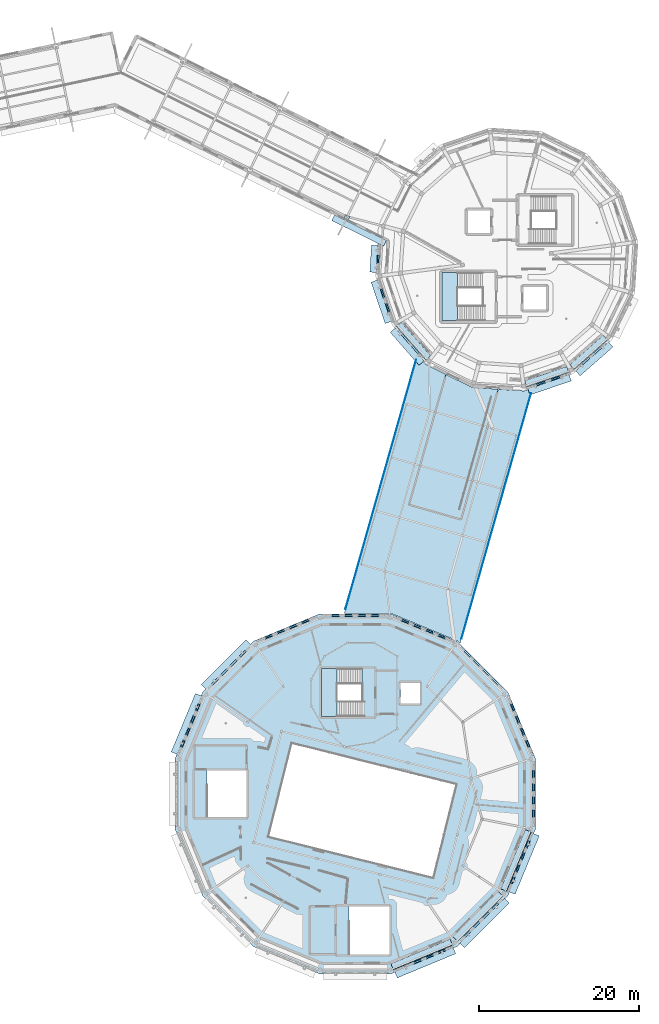
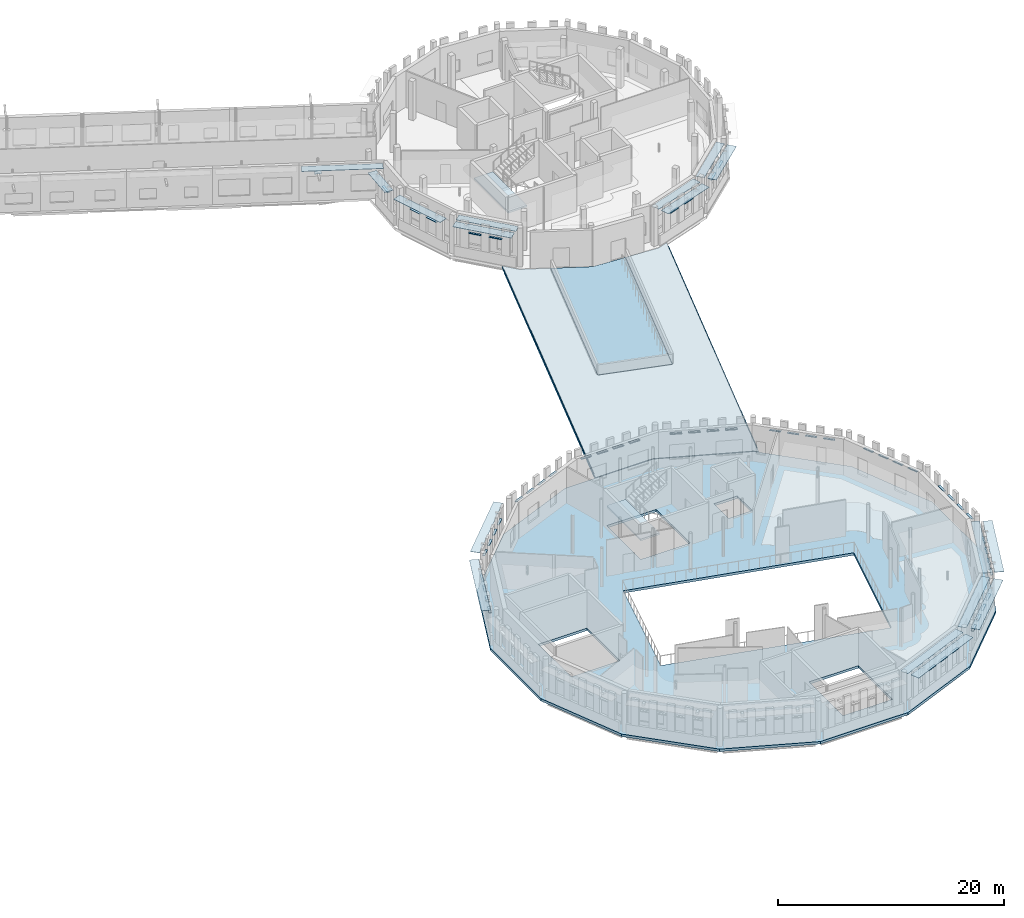
# One storey, part 27 of 68: 72 plates, 5 slabs, 2 elements without a shape of their own.
"""IFC4 building model written with IfcOpenShell, lengths in metres."""

from ifc_helpers import new_model, si_unit, direction, frame, origin, origin_2d, place, context, subcontext, project, spatial, polyline, rectangle, outline, extrude, material, layer, layer_set, type_object, element, aggregate, save


model = new_model("IFC4")

# Units and contexts
model_context = context("Model", 3, precision=1e-05, world=origin(), true_north=direction((0.0, 1.0)))
body_context = subcontext(model_context, "Body", "Model", "MODEL_VIEW")
ifc_project = project(units=[si_unit("LENGTHUNIT", "METRE"), si_unit("AREAUNIT", "SQUARE_METRE"), si_unit("VOLUMEUNIT", "CUBIC_METRE"), si_unit("PLANEANGLEUNIT", "RADIAN"), si_unit("MASSUNIT", "GRAM", prefix="KILO")], contexts=[model_context])

# Site, building, storey
site_placement = place(None, origin())
site = spatial("IfcSite", under=ifc_project, at=site_placement, CompositionType="ELEMENT")
building_placement = place(site_placement, origin())
building = spatial("IfcBuilding", under=site, at=building_placement, Name="Wrenclough Park School", CompositionType="ELEMENT")
storey_placement = place(building_placement, frame((0.0, 0.0, 12.60009765625)))
storey = spatial("IfcBuildingStorey", under=building, at=storey_placement, Name="L03", CompositionType="ELEMENT", Elevation=12.60009765625)

# Plates
ifc_material_1 = material(Name="Anodised architectural aluminium solar shading fin plate", Category="aluminium")
ifc_layer_1 = layer(ifc_material_1, 0.0380859375)
ifc_layer_set_1 = layer_set([ifc_layer_1], Name="Anodised architectural aluminium solar shading fin plate")
plate_type_1 = type_object("IfcPlateType", Name="ENV-PL-BSF", PredefinedType="SHEET", material=ifc_layer_set_1)
for number, where, z_axis, x_axis, name in (
    (1, (177.119384765625, 32.78271484375, 2.721923828125), (0.0, 0.0, 1.0), (-0.382684471717, 0.923879101997, 0.0), "D1 L03 open-bond brick screen tie band 0457"),
    (2, (176.489501953125, 34.303466796875, 2.721923828125), (0.0, 0.0, 1.0), (-0.382684471717, 0.923879101997, 0.0), "D1 L03 open-bond brick screen tie band 0458"),
    (3, (175.859619140625, 35.82421875, 2.721923828125), (0.0, 0.0, 1.0), (-0.382684471717, 0.923879101997, 0.0), "D1 L03 open-bond brick screen tie band 0459"),
    (4, (175.229736328125, 37.344970703125, 2.721923828125), (0.0, 0.0, 1.0), (-0.382684471717, 0.923879101997, 0.0), "D1 L03 open-bond brick screen tie band 0460"),
):
    element("IfcPlate", number, at=place(storey_placement, frame(where, z_axis=z_axis, x_axis=x_axis)), inside=storey, type_object=plate_type_1, Name=name, PredefinedType="SHEET", context=body_context, shape_type="SweptSolid", body=[
        extrude(rectangle(XDim=1.0048828125, YDim=0.219970703125, at=origin_2d()), origin(), (0.0, 0.0, 1.0), 0.0419921875),
    ])
plate_1_placement = place(storey_placement, frame((173.069580078125, 40.577880859375, 2.721923828125), z_axis=(0.0, 0.0, 1.0), x_axis=(-0.707106781187, 0.707106781187, 0.0)))
element("IfcPlate", 5, at=plate_1_placement, inside=storey, type_object=plate_type_1, Name="D1 L03 open-bond brick screen tie band 0461", PredefinedType="SHEET", context=body_context, shape_type="SweptSolid", body=[
    extrude(rectangle(XDim=1.004638671875, YDim=0.219970703125, at=origin_2d()), origin(), (0.0, 0.0, 1.0), 0.0419921875),
])
for number, where, z_axis, x_axis, name in (
    (6, (171.90576171875, 41.741455078125, 2.721923828125), (0.0, 0.0, 1.0), (-0.707106781187, 0.707106781187, 0.0), "D1 L03 open-bond brick screen tie band 0462"),
    (7, (170.741943359375, 42.9052734375, 2.721923828125), (0.0, 0.0, 1.0), (-0.707106781187, 0.707106781187, 0.0), "D1 L03 open-bond brick screen tie band 0463"),
):
    element("IfcPlate", number, at=place(storey_placement, frame(where, z_axis=z_axis, x_axis=x_axis)), inside=storey, type_object=plate_type_1, Name=name, PredefinedType="SHEET", context=body_context, shape_type="SweptSolid", body=[
        extrude(rectangle(XDim=1.0048828125, YDim=0.219970703125, at=origin_2d()), origin(), (0.0, 0.0, 1.0), 0.0419921875),
    ])
plate_2_placement = place(storey_placement, frame((169.578125, 44.069091796875, 2.721923828125), z_axis=(0.0, 0.0, 1.0), x_axis=(-0.707106781187, 0.707106781187, 0.0)))
element("IfcPlate", 8, at=plate_2_placement, inside=storey, type_object=plate_type_1, Name="D1 L03 open-bond brick screen tie band 0464", PredefinedType="SHEET", context=body_context, shape_type="SweptSolid", body=[
    extrude(rectangle(XDim=1.004638671875, YDim=0.219970703125, at=origin_2d()), origin(), (0.0, 0.0, 1.0), 0.0419921875),
])
for number, where, z_axis, x_axis, name in (
    (9, (166.34521484375, 46.2294921875, 2.721923828125), (0.0, 0.0, 1.0), (-0.923875848465, 0.382692326318, 0.0), "D1 L03 open-bond brick screen tie band 0465"),
    (10, (164.82421875, 46.859619140625, 2.721923828125), (0.0, 0.0, 1.0), (-0.923875848465, 0.382692326318, 0.0), "D1 L03 open-bond brick screen tie band 0466"),
    (11, (163.3037109375, 47.489501953125, 2.721923828125), (0.0, 0.0, 1.0), (-0.923875848465, 0.382692326318, 0.0), "D1 L03 open-bond brick screen tie band 0467"),
    (12, (161.782958984375, 48.119384765625, 2.721923828125), (0.0, 0.0, 1.0), (-0.923875848465, 0.382692326318, 0.0), "D1 L03 open-bond brick screen tie band 0468"),
    (13, (157.968994140625, 48.878173828125, 2.721923828125), (0.0, 0.0, 1.0), (-1.0, 0.0, 0.0), "D1 L03 open-bond brick screen tie band 0469"),
    (14, (156.322998046875, 48.878173828125, 2.721923828125), (0.0, 0.0, 1.0), (-1.0, 0.0, 0.0), "D1 L03 open-bond brick screen tie band 0470"),
    (15, (154.677001953125, 48.878173828125, 2.721923828125), (0.0, 0.0, 1.0), (-1.0, 0.0, 0.0), "D1 L03 open-bond brick screen tie band 0471"),
    (16, (153.031005859375, 48.878173828125, 2.721923828125), (0.0, 0.0, 1.0), (-1.0, 0.0, 0.0), "D1 L03 open-bond brick screen tie band 0472"),
    (17, (149.217041015625, 48.119384765625, 2.721923828125), (0.0, 0.0, 1.0), (-0.923875848465, -0.382692326318, 0.0), "D1 L03 open-bond brick screen tie band 0473"),
    (18, (147.6962890625, 47.489501953125, 2.721923828125), (0.0, 0.0, 1.0), (-0.923875848465, -0.382692326318, 0.0), "D1 L03 open-bond brick screen tie band 0474"),
    (19, (146.17578125, 46.859619140625, 2.721923828125), (0.0, 0.0, 1.0), (-0.923875848465, -0.382692326318, 0.0), "D1 L03 open-bond brick screen tie band 0475"),
    (20, (144.65478515625, 46.2294921875, 2.721923828125), (0.0, 0.0, 1.0), (-0.923875848465, -0.382692326318, 0.0), "D1 L03 open-bond brick screen tie band 0476"),
):
    element("IfcPlate", number, at=place(storey_placement, frame(where, z_axis=z_axis, x_axis=x_axis)), inside=storey, type_object=plate_type_1, Name=name, PredefinedType="SHEET", context=body_context, shape_type="SweptSolid", body=[
        extrude(rectangle(XDim=1.0048828125, YDim=0.219970703125, at=origin_2d()), origin(), (0.0, 0.0, 1.0), 0.0419921875),
    ])
plate_3_placement = place(storey_placement, frame((141.421875, 44.069091796875, 2.721923828125), z_axis=(0.0, 0.0, 1.0), x_axis=(-0.707106781187, -0.707106781187, 0.0)))
element("IfcPlate", 21, at=plate_3_placement, inside=storey, type_object=plate_type_1, Name="D1 L03 open-bond brick screen tie band 0477", PredefinedType="SHEET", context=body_context, shape_type="SweptSolid", body=[
    extrude(rectangle(XDim=1.004638671875, YDim=0.219970703125, at=origin_2d()), origin(), (0.0, 0.0, 1.0), 0.0419921875),
])
for number, where, z_axis, x_axis, name in (
    (22, (140.258056640625, 42.9052734375, 2.721923828125), (0.0, 0.0, 1.0), (-0.707106781187, -0.707106781187, 0.0), "D1 L03 open-bond brick screen tie band 0478"),
    (23, (139.09423828125, 41.741455078125, 2.721923828125), (0.0, 0.0, 1.0), (-0.707106781187, -0.707106781187, 0.0), "D1 L03 open-bond brick screen tie band 0479"),
):
    element("IfcPlate", number, at=place(storey_placement, frame(where, z_axis=z_axis, x_axis=x_axis)), inside=storey, type_object=plate_type_1, Name=name, PredefinedType="SHEET", context=body_context, shape_type="SweptSolid", body=[
        extrude(rectangle(XDim=1.0048828125, YDim=0.219970703125, at=origin_2d()), origin(), (0.0, 0.0, 1.0), 0.0419921875),
    ])
plate_4_placement = place(storey_placement, frame((137.930419921875, 40.577880859375, 2.721923828125), z_axis=(0.0, 0.0, 1.0), x_axis=(-0.707106781187, -0.707106781187, 0.0)))
element("IfcPlate", 24, at=plate_4_placement, inside=storey, type_object=plate_type_1, Name="D1 L03 open-bond brick screen tie band 0480", PredefinedType="SHEET", context=body_context, shape_type="SweptSolid", body=[
    extrude(rectangle(XDim=1.004638671875, YDim=0.219970703125, at=origin_2d()), origin(), (0.0, 0.0, 1.0), 0.0419921875),
])
plate_5_placement = place(storey_placement, frame((139.310302734375, 42.689208984375, 3.700927734375), z_axis=(0.0, 0.0, 1.0), x_axis=(-0.707106781187, -0.707106781187, 0.0)))
element("IfcPlate", 25, at=plate_5_placement, inside=storey, type_object=plate_type_1, Name="D1 L03 sun-side projecting brise-soleil blade 0079", PredefinedType="SHEET", context=body_context, shape_type="SweptSolid", body=[
    extrude(rectangle(XDim=7.928955078125, YDim=0.85009765625, at=origin_2d()), origin(), (0.0, 0.0, 1.0), 0.0380859375),
])
for number, where, z_axis, x_axis, name in (
    (26, (135.770263671875, 37.344970703125, 2.721923828125), (0.0, 0.0, 1.0), (-0.382684471717, -0.923879101997, 0.0), "D1 L03 open-bond brick screen tie band 0481"),
    (27, (135.140380859375, 35.82421875, 2.721923828125), (0.0, 0.0, 1.0), (-0.382684471717, -0.923879101997, 0.0), "D1 L03 open-bond brick screen tie band 0482"),
    (28, (134.510498046875, 34.303466796875, 2.721923828125), (0.0, 0.0, 1.0), (-0.382684471717, -0.923879101997, 0.0), "D1 L03 open-bond brick screen tie band 0483"),
    (29, (133.880615234375, 32.78271484375, 2.721923828125), (0.0, 0.0, 1.0), (-0.382684471717, -0.923879101997, 0.0), "D1 L03 open-bond brick screen tie band 0484"),
):
    element("IfcPlate", number, at=place(storey_placement, frame(where, z_axis=z_axis, x_axis=x_axis)), inside=storey, type_object=plate_type_1, Name=name, PredefinedType="SHEET", context=body_context, shape_type="SweptSolid", body=[
        extrude(rectangle(XDim=1.0048828125, YDim=0.219970703125, at=origin_2d()), origin(), (0.0, 0.0, 1.0), 0.0419921875),
    ])
plate_6_placement = place(storey_placement, frame((134.347412109375, 35.261962890625, 3.700927734375), z_axis=(0.0, 0.0, 1.0), x_axis=(-0.382684471717, -0.923879101997, 0.0)))
element("IfcPlate", 30, at=plate_6_placement, inside=storey, type_object=plate_type_1, Name="D1 L03 sun-side projecting brise-soleil blade 0080", PredefinedType="SHEET", context=body_context, shape_type="SweptSolid", body=[
    extrude(rectangle(XDim=7.9296875, YDim=0.85009765625, at=origin_2d()), origin(), (0.0, 0.0, 1.0), 0.0380859375),
])
for number, where, z_axis, x_axis, name in (
    (31, (163.303466796875, 5.510498046875, 2.721923828125), (0.0, 0.0, 1.0), (0.923879101997, 0.382684471717, 0.0), "D1 L03 open-bond brick screen tie band 0506"),
    (32, (164.82421875, 6.140380859375, 2.721923828125), (0.0, 0.0, 1.0), (0.923879101997, 0.382684471717, 0.0), "D1 L03 open-bond brick screen tie band 0507"),
    (33, (166.344970703125, 6.770263671875, 2.721923828125), (0.0, 0.0, 1.0), (0.923879101997, 0.382684471717, 0.0), "D1 L03 open-bond brick screen tie band 0508"),
):
    element("IfcPlate", number, at=place(storey_placement, frame(where, z_axis=z_axis, x_axis=x_axis)), inside=storey, type_object=plate_type_1, Name=name, PredefinedType="SHEET", context=body_context, shape_type="SweptSolid", body=[
        extrude(rectangle(XDim=1.0048828125, YDim=0.219970703125, at=origin_2d()), origin(), (0.0, 0.0, 1.0), 0.0419921875),
    ])
plate_7_placement = place(storey_placement, frame((164.261962890625, 5.347412109375, 3.700927734375), z_axis=(0.0, 0.0, 1.0), x_axis=(0.923879101997, 0.382684471717, 0.0)))
element("IfcPlate", 34, at=plate_7_placement, inside=storey, type_object=plate_type_1, Name="D1 L03 sun-side projecting brise-soleil blade 0086", PredefinedType="SHEET", context=body_context, shape_type="SweptSolid", body=[
    extrude(rectangle(XDim=7.9296875, YDim=0.85009765625, at=origin_2d()), origin(), (0.0, 0.0, 1.0), 0.0380859375),
])
for number, where, z_axis, x_axis, name in (
    (35, (169.577880859375, 8.9306640625, 2.721923828125), (0.0, 0.0, 1.0), (0.707106781187, 0.707106781187, 0.0), "D1 L03 open-bond brick screen tie band 0509"),
    (36, (170.74169921875, 10.094482421875, 2.721923828125), (0.0, 0.0, 1.0), (0.707106781187, 0.707106781187, 0.0), "D1 L03 open-bond brick screen tie band 0510"),
    (37, (171.905517578125, 11.25830078125, 2.721923828125), (0.0, 0.0, 1.0), (0.707106781187, 0.707106781187, 0.0), "D1 L03 open-bond brick screen tie band 0511"),
    (38, (173.069580078125, 12.422119140625, 2.721923828125), (0.0, 0.0, 1.0), (0.707106781187, 0.707106781187, 0.0), "D1 L03 open-bond brick screen tie band 0512"),
):
    element("IfcPlate", number, at=place(storey_placement, frame(where, z_axis=z_axis, x_axis=x_axis)), inside=storey, type_object=plate_type_1, Name=name, PredefinedType="SHEET", context=body_context, shape_type="SweptSolid", body=[
        extrude(rectangle(XDim=1.0048828125, YDim=0.219970703125, at=origin_2d()), origin(), (0.0, 0.0, 1.0), 0.0419921875),
    ])
plate_8_placement = place(storey_placement, frame((171.689697265625, 10.310302734375, 3.700927734375), z_axis=(0.0, 0.0, 1.0), x_axis=(0.707106781187, 0.707106781187, 0.0)))
element("IfcPlate", 39, at=plate_8_placement, inside=storey, type_object=plate_type_1, Name="D1 L03 sun-side projecting brise-soleil blade 0087", PredefinedType="SHEET", context=body_context, shape_type="SweptSolid", body=[
    extrude(rectangle(XDim=7.9296875, YDim=0.85009765625, at=origin_2d()), origin(), (0.0, 0.0, 1.0), 0.0380859375),
])
for number, where, z_axis, x_axis, name in (
    (40, (175.229736328125, 15.655029296875, 2.721923828125), (0.0, 0.0, 1.0), (0.382684471717, 0.923879101997, 0.0), "D1 L03 open-bond brick screen tie band 0513"),
    (41, (175.859619140625, 17.17578125, 2.721923828125), (0.0, 0.0, 1.0), (0.382684471717, 0.923879101997, 0.0), "D1 L03 open-bond brick screen tie band 0514"),
    (42, (176.489501953125, 18.696533203125, 2.721923828125), (0.0, 0.0, 1.0), (0.382684471717, 0.923879101997, 0.0), "D1 L03 open-bond brick screen tie band 0515"),
    (43, (177.119384765625, 20.21728515625, 2.721923828125), (0.0, 0.0, 1.0), (0.382684471717, 0.923879101997, 0.0), "D1 L03 open-bond brick screen tie band 0516"),
):
    element("IfcPlate", number, at=place(storey_placement, frame(where, z_axis=z_axis, x_axis=x_axis)), inside=storey, type_object=plate_type_1, Name=name, PredefinedType="SHEET", context=body_context, shape_type="SweptSolid", body=[
        extrude(rectangle(XDim=1.0048828125, YDim=0.219970703125, at=origin_2d()), origin(), (0.0, 0.0, 1.0), 0.0419921875),
    ])
plate_9_placement = place(storey_placement, frame((176.652587890625, 17.738037109375, 3.700927734375), z_axis=(0.0, 0.0, 1.0), x_axis=(0.382684471717, 0.923879101997, 0.0)))
element("IfcPlate", 44, at=plate_9_placement, inside=storey, type_object=plate_type_1, Name="D1 L03 sun-side projecting brise-soleil blade 0088", PredefinedType="SHEET", context=body_context, shape_type="SweptSolid", body=[
    extrude(rectangle(XDim=7.9296875, YDim=0.85009765625, at=origin_2d()), origin(), (0.0, 0.0, 1.0), 0.0380859375),
])
for number, where, z_axis, x_axis, name in (
    (45, (177.878173828125, 24.031005859375, 2.721923828125), (0.0, 0.0, 1.0), (0.0, 1.0, 0.0), "D1 L03 open-bond brick screen tie band 0517"),
    (46, (177.878173828125, 25.677001953125, 2.721923828125), (0.0, 0.0, 1.0), (0.0, 1.0, 0.0), "D1 L03 open-bond brick screen tie band 0518"),
    (47, (177.878173828125, 27.322998046875, 2.721923828125), (0.0, 0.0, 1.0), (0.0, 1.0, 0.0), "D1 L03 open-bond brick screen tie band 0519"),
    (48, (177.878173828125, 28.968994140625, 2.721923828125), (0.0, 0.0, 1.0), (0.0, 1.0, 0.0), "D1 L03 open-bond brick screen tie band 0520"),
):
    element("IfcPlate", number, at=place(storey_placement, frame(where, z_axis=z_axis, x_axis=x_axis)), inside=storey, type_object=plate_type_1, Name=name, PredefinedType="SHEET", context=body_context, shape_type="SweptSolid", body=[
        extrude(rectangle(XDim=1.0048828125, YDim=0.219970703125, at=origin_2d()), origin(), (0.0, 0.0, 1.0), 0.0419921875),
    ])
plate_10_placement = place(storey_placement, frame((158.36474609375, 93.506103515625, 2.721923828125), z_axis=(0.0, 0.0, 1.0), x_axis=(-0.0653929205, -0.997859592302, 0.0)))
element("IfcPlate", 49, at=plate_10_placement, inside=storey, type_object=plate_type_1, Name="D5 L03 open-bond brick screen tie band 0640", PredefinedType="SHEET", context=body_context, shape_type="SweptSolid", body=[
    extrude(rectangle(XDim=1.1318359375, YDim=0.219970703125, at=origin_2d()), origin(), (0.0, 0.0, 1.0), 0.0419921875),
])
plate_11_placement = place(storey_placement, frame((157.848388671875, 93.539794921875, 3.700927734375), z_axis=(0.0, 0.0, 1.0), x_axis=(-0.0653929205, -0.997859592302, 0.0)))
element("IfcPlate", 50, at=plate_11_placement, inside=storey, type_object=plate_type_1, Name="D5 L03 sun-side projecting brise-soleil blade 0113", PredefinedType="SHEET", context=body_context, shape_type="SweptSolid", body=[
    extrude(rectangle(XDim=3.3837890625, YDim=0.85009765625, at=origin_2d()), origin(), (0.0, 0.0, 1.0), 0.0380859375),
])
for number, where, z_axis, x_axis, name in (
    (51, (158.943603515625, 89.237060546875, 2.721923828125), (0.0, 0.0, 1.0), (0.321426781293, -0.946934435041, 0.0), "D5 L03 open-bond brick screen tie band 0641"),
    (52, (159.563232421875, 87.411865234375, 2.721923828125), (0.0, 0.0, 1.0), (0.321426781293, -0.946934435041, 0.0), "D5 L03 open-bond brick screen tie band 0642"),
):
    element("IfcPlate", number, at=place(storey_placement, frame(where, z_axis=z_axis, x_axis=x_axis)), inside=storey, type_object=plate_type_1, Name=name, PredefinedType="SHEET", context=body_context, shape_type="SweptSolid", body=[
        extrude(rectangle(XDim=1.217529296875, YDim=0.219970703125, at=origin_2d()), origin(), (0.0, 0.0, 1.0), 0.0419921875),
    ])
plate_12_placement = place(storey_placement, frame((158.763427734375, 88.158203125, 3.700927734375), z_axis=(0.0, 0.0, 1.0), x_axis=(0.321426781293, -0.946934435041, 0.0)))
element("IfcPlate", 53, at=plate_12_placement, inside=storey, type_object=plate_type_1, Name="D5 L03 sun-side projecting brise-soleil blade 0114", PredefinedType="SHEET", context=body_context, shape_type="SweptSolid", body=[
    extrude(rectangle(XDim=5.482421875, YDim=0.85009765625, at=origin_2d()), origin(), (0.0, 0.0, 1.0), 0.0380859375),
])
for number, where, z_axis, x_axis, name in (
    (54, (161.759033203125, 83.608642578125, 2.721923828125), (0.0, 0.0, 1.0), (0.659346589381, -0.751839128452, 0.0), "D5 L03 open-bond brick screen tie band 0643"),
    (55, (163.02978515625, 82.159423828125, 2.721923828125), (0.0, 0.0, 1.0), (0.659346589381, -0.751839128452, 0.0), "D5 L03 open-bond brick screen tie band 0644"),
):
    element("IfcPlate", number, at=place(storey_placement, frame(where, z_axis=z_axis, x_axis=x_axis)), inside=storey, type_object=plate_type_1, Name=name, PredefinedType="SHEET", context=body_context, shape_type="SweptSolid", body=[
        extrude(rectangle(XDim=1.21728515625, YDim=0.219970703125, at=origin_2d()), origin(), (0.0, 0.0, 1.0), 0.0419921875),
    ])
plate_13_placement = place(storey_placement, frame((162.00537109375, 82.54296875, 3.700927734375), z_axis=(0.0, 0.0, 1.0), x_axis=(0.659346589381, -0.751839128452, 0.0)))
element("IfcPlate", 56, at=plate_13_placement, inside=storey, type_object=plate_type_1, Name="D5 L03 sun-side projecting brise-soleil blade 0115", PredefinedType="SHEET", context=body_context, shape_type="SweptSolid", body=[
    extrude(rectangle(XDim=5.482177734375, YDim=0.85009765625, at=origin_2d()), origin(), (0.0, 0.0, 1.0), 0.0380859375),
])
for number, where, z_axis, x_axis, name in (
    (57, (178.762939453125, 77.943603515625, 2.721923828125), (0.0, 0.0, 1.0), (0.946934435041, 0.321426781293, 0.0), "D5 L03 open-bond brick screen tie band 0645"),
    (58, (180.588134765625, 78.563232421875, 2.721923828125), (0.0, 0.0, 1.0), (0.946934435041, 0.321426781293, 0.0), "D5 L03 open-bond brick screen tie band 0646"),
):
    element("IfcPlate", number, at=place(storey_placement, frame(where, z_axis=z_axis, x_axis=x_axis)), inside=storey, type_object=plate_type_1, Name=name, PredefinedType="SHEET", context=body_context, shape_type="SweptSolid", body=[
        extrude(rectangle(XDim=1.217529296875, YDim=0.219970703125, at=origin_2d()), origin(), (0.0, 0.0, 1.0), 0.0419921875),
    ])
plate_14_placement = place(storey_placement, frame((179.841796875, 77.763427734375, 3.700927734375), z_axis=(0.0, 0.0, 1.0), x_axis=(0.946934435041, 0.321426781293, 0.0)))
element("IfcPlate", 59, at=plate_14_placement, inside=storey, type_object=plate_type_1, Name="D5 L03 sun-side projecting brise-soleil blade 0116", PredefinedType="SHEET", context=body_context, shape_type="SweptSolid", body=[
    extrude(rectangle(XDim=5.482421875, YDim=0.85009765625, at=origin_2d()), origin(), (0.0, 0.0, 1.0), 0.0380859375),
])
for number, where, z_axis, x_axis, name in (
    (60, (184.391357421875, 80.759033203125, 2.721923828125), (0.0, 0.0, 1.0), (0.751839128452, 0.659346589381, 0.0), "D5 L03 open-bond brick screen tie band 0647"),
    (61, (185.840576171875, 82.02978515625, 2.721923828125), (0.0, 0.0, 1.0), (0.751839128452, 0.659346589381, 0.0), "D5 L03 open-bond brick screen tie band 0648"),
):
    element("IfcPlate", number, at=place(storey_placement, frame(where, z_axis=z_axis, x_axis=x_axis)), inside=storey, type_object=plate_type_1, Name=name, PredefinedType="SHEET", context=body_context, shape_type="SweptSolid", body=[
        extrude(rectangle(XDim=1.21728515625, YDim=0.219970703125, at=origin_2d()), origin(), (0.0, 0.0, 1.0), 0.0419921875),
    ])
plate_15_placement = place(storey_placement, frame((185.45703125, 81.00537109375, 3.700927734375), z_axis=(0.0, 0.0, 1.0), x_axis=(0.751839128452, 0.659346589381, 0.0)))
element("IfcPlate", 62, at=plate_15_placement, inside=storey, type_object=plate_type_1, Name="D5 L03 sun-side projecting brise-soleil blade 0117", PredefinedType="SHEET", context=body_context, shape_type="SweptSolid", body=[
    extrude(rectangle(XDim=5.482177734375, YDim=0.85009765625, at=origin_2d()), origin(), (0.0, 0.0, 1.0), 0.0380859375),
])
plate_16_placement = place(storey_placement, frame((162.80419921875, 83.227294921875, 3.720947265625), z_axis=(0.0, 0.0, 1.0), x_axis=(-0.659360615708, 0.751826827437, 0.0)))
element("IfcPlate", 63, at=plate_16_placement, inside=storey, type_object=plate_type_1, Name="L03 link wing sun-side brise-soleil blade 0206", PredefinedType="SHEET", context=body_context, shape_type="SweptSolid", body=[
    extrude(rectangle(XDim=5.5849609375, YDim=0.800048828125, at=origin_2d()), origin(), (0.0, 0.0, 1.0), 0.0380859375),
])
plate_17_placement = place(storey_placement, frame((155.98388671875, 97.083984375, 3.720947265625), z_axis=(0.0, 0.0, 1.0), x_axis=(-0.89626516888, 0.443518598316, 0.0)))
element("IfcPlate", 64, at=plate_17_placement, inside=storey, type_object=plate_type_1, Name="L03 link wing sun-side brise-soleil blade 0207", PredefinedType="SHEET", context=body_context, shape_type="SweptSolid", body=[
    extrude(rectangle(XDim=7.23974609375, YDim=0.800048828125, at=origin_2d()), origin(), (0.0, 0.0, 1.0), 0.0380859375),
])
plate_18_placement = place(storey_placement, frame((184.739013671875, 81.82470703125, 3.720947265625), z_axis=(0.0, 0.0, 1.0), x_axis=(-0.751827974808, -0.659359307432, 0.0)))
element("IfcPlate", 65, at=plate_18_placement, inside=storey, type_object=plate_type_1, Name="L03 link wing sun-side brise-soleil blade 0223", PredefinedType="SHEET", context=body_context, shape_type="SweptSolid", body=[
    extrude(rectangle(XDim=5.560791015625, YDim=0.800048828125, at=origin_2d()), origin(), (0.0, 0.0, 1.0), 0.0380859375),
])
plate_19_placement = place(storey_placement, frame((179.49658203125, 78.78076171875, 3.720947265625), z_axis=(0.0, 0.0, 1.0), x_axis=(-0.946932754011, -0.321431733625, 0.0)))
element("IfcPlate", 66, at=plate_19_placement, inside=storey, type_object=plate_type_1, Name="L03 link wing sun-side brise-soleil blade 0224", PredefinedType="SHEET", context=body_context, shape_type="SweptSolid", body=[
    extrude(rectangle(XDim=5.56103515625, YDim=0.800048828125, at=origin_2d()), origin(), (0.0, 0.0, 1.0), 0.0380859375),
])
for number, where, z_axis, x_axis, name in (
    (67, (163.828857421875, 6.39208984375, 3.720947265625), (0.0, 0.0, 1.0), (-0.923880923331, -0.382680074611, 0.0), "L03 link wing sun-side brise-soleil blade 0225"),
    (68, (175.635498046875, 18.15966796875, 3.720947265625), (0.0, 0.0, 1.0), (-0.382680074611, -0.923880923331, 0.0), "L03 link wing sun-side brise-soleil blade 0230"),
):
    element("IfcPlate", number, at=place(storey_placement, frame(where, z_axis=z_axis, x_axis=x_axis)), inside=storey, type_object=plate_type_1, Name=name, PredefinedType="SHEET", context=body_context, shape_type="SweptSolid", body=[
        extrude(rectangle(XDim=8.03857421875, YDim=0.800048828125, at=origin_2d()), origin(), (0.0, 0.0, 1.0), 0.0380859375),
    ])
plate_20_placement = place(storey_placement, frame((170.858154296875, 11.141845703125, 3.720947265625), z_axis=(0.0, 0.0, 1.0), x_axis=(-0.707106781187, -0.707106781187, 0.0)))
element("IfcPlate", 69, at=plate_20_placement, inside=storey, type_object=plate_type_1, Name="L03 link wing sun-side brise-soleil blade 0231", PredefinedType="SHEET", context=body_context, shape_type="SweptSolid", body=[
    extrude(rectangle(XDim=8.038818359375, YDim=0.800048828125, at=origin_2d()), origin(), (0.0, 0.0, 1.0), 0.0380859375),
])
ifc_material_2 = material(Name="Patinated copper-alloy architectural eave fascia cassette", Category="aluminium")
ifc_layer_2 = layer(ifc_material_2, 0.028076171875)
ifc_layer_set_2 = layer_set([ifc_layer_2], Name="Patinated copper-alloy architectural eave fascia cassette")
plate_type_2 = type_object("IfcPlateType", Name="ENV-PL-FAS", PredefinedType="SHEET", material=ifc_layer_set_2)
plate_21_placement = place(storey_placement, frame((173.166259765625, 61.32470703125, -0.2900390625), z_axis=(0.0, 0.0, 1.0), x_axis=(0.27282351899, 0.962064097389, 0.0)))
element("IfcPlate", 70, at=plate_21_placement, inside=storey, type_object=plate_type_2, Name="Overhanging copper eave fascia plate 018", PredefinedType="SHEET", context=body_context, shape_type="SweptSolid", body=[
    extrude(rectangle(XDim=31.9716796875, YDim=0.028076171875, at=origin_2d()), origin(), (0.0, 0.0, 1.0), 0.340087890625),
])
plate_22_placement = place(storey_placement, frame((158.702880859375, 65.2666015625, -0.2900390625), z_axis=(0.0, 0.0, 1.0), x_axis=(-0.272823607933, -0.962064072167, 0.0)))
element("IfcPlate", 71, at=plate_22_placement, inside=storey, type_object=plate_type_2, Name="Overhanging copper eave fascia plate 019", PredefinedType="SHEET", context=body_context, shape_type="SweptSolid", body=[
    extrude(rectangle(XDim=32.434814453125, YDim=0.028076171875, at=origin_2d()), origin(), (0.0, 0.0, 1.0), 0.340087890625),
])

# Stair, slab
ifc_material_3 = material(Name="Precast concrete C40/50", Category="concrete")
stair_type = type_object("IfcStairType", Name="INT-ST-190-42", PredefinedType="HALF_TURN_STAIR", material=ifc_material_3)
stair_1_placement = place(storey_placement, origin())
stair_1 = element("IfcStair", 72, at=stair_1_placement, inside=storey, type_object=stair_type, Name="L03 escape stair ST-01", PredefinedType="HALF_TURN_STAIR")
ifc_layer_3 = layer(ifc_material_3, 0.195068359375)
ifc_layer_set_3 = layer_set([ifc_layer_3], Name="Precast concrete C40/50")
slab_type_1 = type_object("IfcSlabType", Name="INT-SL-LAND195", PredefinedType="LANDING", material=ifc_layer_set_3)
slab_1_placement = place(storey_placement, frame((0.0, 0.0, 1.989013671875)))
slab_1 = element("IfcSlab", 73, at=slab_1_placement, type_object=slab_type_1, Name="ST-01 landing 1", PredefinedType="LANDING", context=body_context, shape_type="SweptSolid", body=[
    extrude(outline(polyline([(151.300048828125, 36.199951171875), (153.222900390625, 36.199951171875), (153.222900390625, 42.199951171875), (151.300048828125, 42.199951171875), (151.300048828125, 36.199951171875)])), origin(), (0.0, 0.0, 1.0), 0.19482421875),
])
aggregate(stair_1, [slab_1])

stair_2_placement = place(storey_placement, origin())
stair_2 = element("IfcStair", 74, at=stair_2_placement, inside=storey, type_object=stair_type, Name="L03 escape stair ST-05", PredefinedType="HALF_TURN_STAIR")
slab_2_placement = place(storey_placement, frame((0.0, 0.0, 1.989013671875)))
slab_2 = element("IfcSlab", 75, at=slab_2_placement, type_object=slab_type_1, Name="ST-05 landing 1", PredefinedType="LANDING", context=body_context, shape_type="SweptSolid", body=[
    extrude(outline(polyline([(166.39990234375, 85.800048828125), (168.322998046875, 85.800048828125), (168.322998046875, 91.800048828125), (166.39990234375, 91.800048828125), (166.39990234375, 85.800048828125)])), origin(), (0.0, 0.0, 1.0), 0.19482421875),
])
aggregate(stair_2, [slab_2])

# Plate
ifc_material_4 = material(Name="Structural steel S355", Category="steel")
ifc_layer_4 = layer(ifc_material_4, 0.028076171875)
ifc_layer_set_4 = layer_set([ifc_layer_4], Name="Structural steel S355")
plate_type_3 = type_object("IfcPlateType", Name="STR-PL-KN3", PredefinedType="USERDEFINED", material=ifc_layer_set_4)
plate_23_placement = place(storey_placement, frame((154.450439453125, 98.73681640625, 2.73583984375), z_axis=(0.0, 0.0, 1.0), x_axis=(0.896267529063, -0.443513828811, 0.0)))
element("IfcPlate", 76, at=plate_23_placement, inside=storey, type_object=plate_type_3, Name="W45 eave knee-brace gusset plate 20", ObjectType="GUSSET PLATE", PredefinedType="USERDEFINED", context=body_context, shape_type="SweptSolid", body=[
    extrude(rectangle(XDim=0.60009765625, YDim=0.5, at=origin_2d()), origin(), (0.0, 0.0, 1.0), 0.028076171875),
])

# Slabs
ifc_material_5 = material(Name="Concrete C35/45", Category="concrete")
ifc_layer_5 = layer(ifc_material_5, 0.264892578125)
ifc_layer_set_5 = layer_set([ifc_layer_5], Name="Concrete C35/45")
slab_type_2 = type_object("IfcSlabType", Name="STR-SL-FL265", PredefinedType="FLOOR", material=ifc_layer_set_5)
slab_3_placement = place(storey_placement, frame((0.0, 0.0, -0.26513671875)))
element("IfcSlab", 77, at=slab_3_placement, inside=storey, type_object=slab_type_2, Name="D1 L03 structural slab SLAB-D1-L03", PredefinedType="FLOOR", context=body_context, shape_type="SweptSolid", body=[
    extrude(outline(polyline([(178.05810546875, 30.987060546875), (174.623779296875, 39.278076171875), (168.278076171875, 45.623779296875), (159.987060546875, 49.05810546875), (151.012939453125, 49.05810546875), (142.721923828125, 45.623779296875), (136.376220703125, 39.278076171875), (132.94189453125, 30.987060546875), (132.94189453125, 22.012939453125), (136.376220703125, 13.721923828125), (142.721923828125, 7.376220703125), (151.012939453125, 3.94189453125), (159.987060546875, 3.94189453125), (168.278076171875, 7.376220703125), (174.623779296875, 13.721923828125), (178.05810546875, 22.012939453125), (178.05810546875, 30.987060546875)]), holes=[polyline([(144.663330078125, 21.142578125), (165.233642578125, 16.013916015625), (168.13671875, 27.657470703125), (147.56640625, 32.7861328125), (144.663330078125, 21.142578125)]), polyline([(151.300048828125, 36.199951171875), (156.35205078125, 36.199951171875), (156.35205078125, 42.199951171875), (151.300048828125, 42.199951171875), (151.300048828125, 36.199951171875)]), polyline([(161.199951171875, 37.800048828125), (163.60009765625, 37.800048828125), (163.60009765625, 40.39990234375), (161.199951171875, 40.39990234375), (161.199951171875, 37.800048828125)]), polyline([(154.748046875, 6.39990234375), (159.800048828125, 6.39990234375), (159.800048828125, 12.39990234375), (154.748046875, 12.39990234375), (154.748046875, 6.39990234375)]), polyline([(136.947998046875, 23.60009765625), (141.89990234375, 23.60009765625), (141.89990234375, 29.39990234375), (136.947998046875, 29.39990234375), (136.947998046875, 23.60009765625)])]), origin(), (0.0, 0.0, 1.0), 0.26513671875),
])
ifc_layer_6 = layer(ifc_material_5, 0.22998046875)
ifc_layer_set_6 = layer_set([ifc_layer_6], Name="Concrete C35/45")
slab_type_3 = type_object("IfcSlabType", Name="STR-SL-PD230", PredefinedType="FLOOR", material=ifc_layer_set_6)
slab_4_placement = place(storey_placement, frame((0.0, 0.0, -0.22998046875)))
element("IfcSlab", 78, at=slab_4_placement, inside=storey, type_object=slab_type_3, Name="W14 L03 structural slab SLAB-PD-3E-L03", PredefinedType="FLOOR", context=body_context, shape_type="SweptSolid", body=[
    extrude(outline(polyline([(168.770751953125, 60.871337890625), (173.408203125, 77.20556640625), (170.190673828125, 77.417236328125), (166.864990234375, 79.056396484375), (162.229248046875, 62.728515625), (168.770751953125, 60.871337890625)])), origin(), (0.0, 0.0, 1.0), 0.22998046875),
])
ifc_material_6 = material(Name="Concrete C32/40", Category="concrete")
ifc_layer_7 = layer(ifc_material_6, 0.22509765625)
ifc_layer_set_7 = layer_set([ifc_layer_7], Name="Concrete C32/40")
slab_type_4 = type_object("IfcSlabType", Name="STR-SL-RF225", PredefinedType="ROOF", material=ifc_layer_set_7)
slab_5_placement = place(storey_placement, frame((0.0, 0.0, -0.22509765625)))
element("IfcSlab", 79, at=slab_5_placement, inside=storey, type_object=slab_type_4, Name="W14 L03 structural slab SLAB-EAVE-W14-L03", PredefinedType="ROOF", context=body_context, shape_type="SweptSolid", body=[
    extrude(outline(polyline([(168.3134765625, 45.6591796875), (168.63720703125, 45.33544921875), (177.714599609375, 77.344970703125), (176.668212890625, 76.991943359375), (173.423095703125, 77.20458984375), (168.781494140625, 60.861083984375), (162.22509765625, 62.714111328125), (166.8515625, 79.06298828125), (164.3681640625, 80.287841796875), (163.301513671875, 81.5009765625), (154.115478515625, 49.108154296875), (159.996826171875, 49.107177734375), (168.3134765625, 45.6591796875)])), origin(), (0.0, 0.0, 1.0), 0.22509765625),
])

save(model, "model.ifc")
